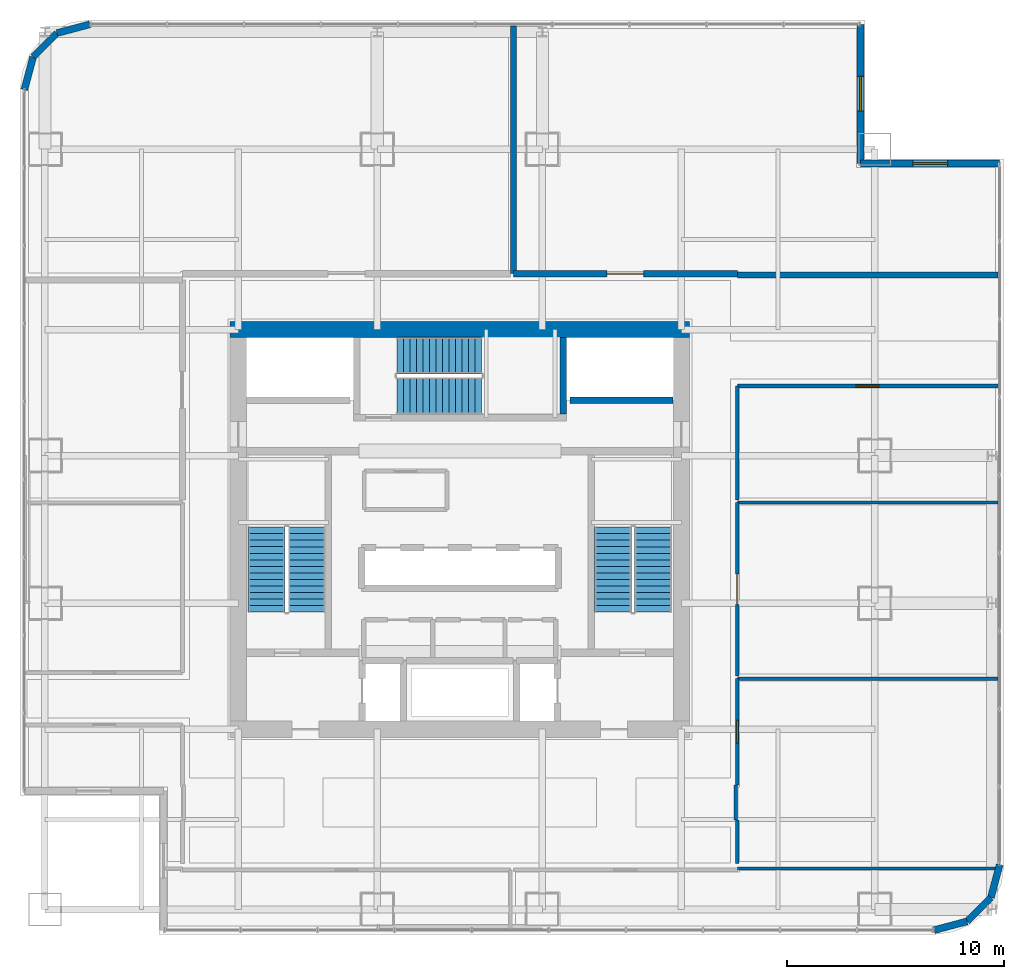
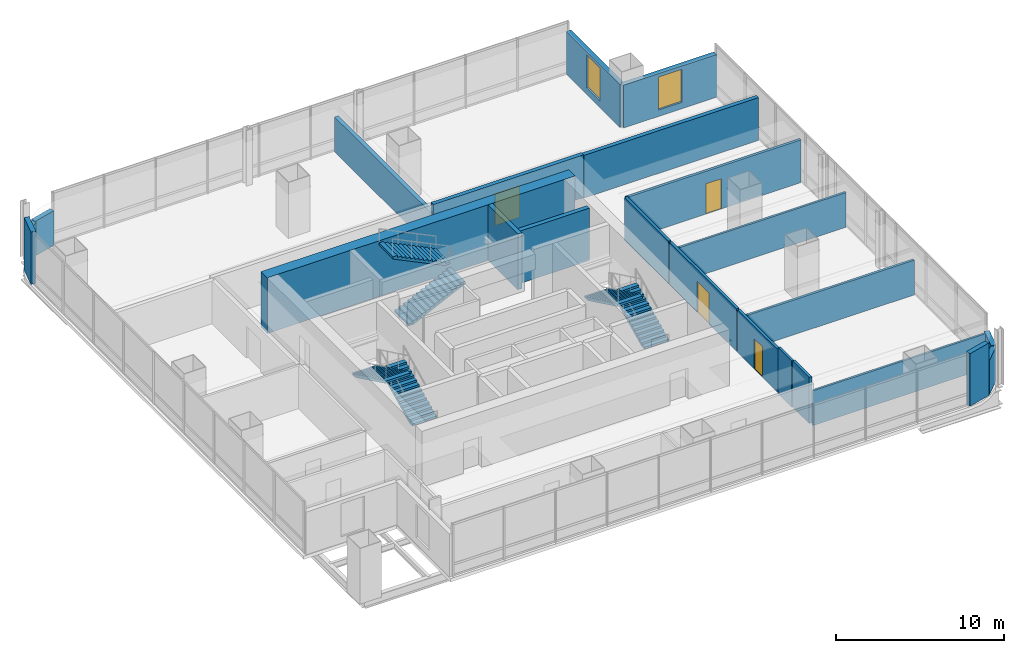
# One storey, part 29 of 35: 23 walls, 6 stair flights, 4 doors, 2 windows, 6 openings, 3 elements without a shape of their own.
"""IFC4 building model written with IfcOpenShell, lengths in metres."""

from ifc_helpers import new_model, si_unit, direction, frame, frame_2d, origin, place, context, subcontext, project, spatial, polyline, rectangle, outline, extrude, material, layer, layer_set, type_object, element, fill, aggregate, save


model = new_model("IFC4")

# Units and contexts
model_context = context("Model", 3, precision=1e-05, world=origin(), true_north=direction((0.0, 1.0)))
body_context = subcontext(model_context, "Body", "Model", "MODEL_VIEW")
ifc_project = project(units=[si_unit("LENGTHUNIT", "METRE"), si_unit("AREAUNIT", "SQUARE_METRE"), si_unit("VOLUMEUNIT", "CUBIC_METRE"), si_unit("PLANEANGLEUNIT", "RADIAN"), si_unit("MASSUNIT", "GRAM", prefix="KILO")], contexts=[model_context])

# Site, building, storey
site_placement = place(None, origin())
site = spatial("IfcSite", under=ifc_project, at=site_placement, CompositionType="ELEMENT")
building_placement = place(site_placement, origin())
building = spatial("IfcBuilding", under=site, at=building_placement, Name="Punatoya Terracotta Tower", CompositionType="ELEMENT")
storey_placement = place(building_placement, frame((0.0, 0.0, 113.25)))
storey = spatial("IfcBuildingStorey", under=building, at=storey_placement, Name="L26", CompositionType="ELEMENT", Elevation=113.25)

# Wall
ifc_material_1 = material(Name="Concrete C40/50", Category="concrete")
ifc_layer_1 = layer(ifc_material_1, 0.280029296875)
ifc_layer_set_1 = layer_set([ifc_layer_1], Name="Concrete C40/50")
wall_type_1 = type_object("IfcWallType", Name="WL-AUD-280", PredefinedType="SOLIDWALL", material=ifc_layer_set_1)
wall_1_placement = place(storey_placement, frame((24.77001953125, 11.7099609375, 0.0), z_axis=(0.0, 0.0, 1.0), x_axis=(-1.0, 0.0, 0.0)))
element("IfcWall", 1, at=wall_1_placement, inside=storey, type_object=wall_type_1, Name="L26 Terrace Refreshment Lounge Partition 34", PredefinedType="SOLIDWALL", context=body_context, shape_type="SweptSolid", body=[
    extrude(rectangle(XDim=12.0, YDim=0.280029296875, at=frame_2d((6.0, 0.0))), origin(), (0.0, 0.0, 1.0), 3.10400390625),
])

# Wall, opening, door
wall_2_placement = place(storey_placement, frame((12.77001953125, 11.77001953125, 0.0), z_axis=(0.0, 0.0, 1.0), x_axis=(-1.0, 0.0, 0.0)))
wall_2 = element("IfcWall", 2, at=wall_2_placement, inside=storey, type_object=wall_type_1, Name="L26 Terrace Refreshment Lounge Partition 35", PredefinedType="SOLIDWALL", context=body_context, shape_type="SweptSolid", body=[
    extrude(rectangle(XDim=10.31005859375, YDim=0.280029296875, at=frame_2d((5.155029296875, 0.0))), origin(), (0.0, 0.0, 1.0), 3.10400390625),
])
opening_1_placement = place(wall_2_placement, frame((4.304931640625, 0.0, 0.0)))
opening_1 = element("IfcOpeningElement", 3, at=opening_1_placement, cuts=wall_2, Name="Opening FD-D1", PredefinedType="OPENING", context=body_context, shape_type="SweptSolid", body=[
    extrude(rectangle(XDim=1.699951171875, YDim=2.300048828125, at=frame_2d((0.85009765625, 1.14990234375))), frame((0.0, 0.14990234375, 0.0), z_axis=(0.0, -1.0, 0.0), x_axis=(1.0, 0.0, 0.0)), (0.0, 0.0, 1.0), 0.300048828125),
])
ifc_material_2 = material(Name="Timber Teak Veneer Fire Leaf", Category="wood")
door_type_1 = type_object("IfcDoorType", Name="DR-DIN-1700", OperationType="NOTDEFINED", PredefinedType="DOOR", material=ifc_material_2)
door_1_placement = place(opening_1_placement, origin())
door_1 = element("IfcDoor", 4, at=door_1_placement, inside=storey, type_object=door_type_1, Name="L26 Terrace Refreshment Lounge Fire Door", OperationType="DOUBLE_DOOR_SINGLE_SWING", OverallHeight=2.300048828125, OverallWidth=1.699951171875, PredefinedType="DOOR", context=body_context, shape_type="SweptSolid", body=[
    extrude(rectangle(XDim=1.699951171875, YDim=2.300048828125, at=frame_2d((0.85009765625, 1.14990234375))), frame((0.0, 0.02490234375, 0.0), z_axis=(0.0, -1.0, 0.0), x_axis=(1.0, 0.0, 0.0)), (0.0, 0.0, 1.0), 0.050048828125),
])
fill(opening_1, door_1)

# Walls
wall_3_placement = place(storey_placement, frame((2.4599609375, 11.77001953125, 0.0), z_axis=(0.0, 0.0, 1.0), x_axis=(0.0, 1.0, 0.0)))
element("IfcWall", 5, at=wall_3_placement, inside=storey, type_object=wall_type_1, Name="L26 Terrace Refreshment Lounge Partition 36", PredefinedType="SOLIDWALL", context=body_context, shape_type="SweptSolid", body=[
    extrude(rectangle(XDim=11.39990234375, YDim=0.280029296875, at=frame_2d((5.699951171875, 0.0))), origin(), (0.0, 0.0, 1.0), 2.52392578125),
])
ifc_material_3 = material(Name="Concrete C60/75", Category="concrete")
ifc_layer_2 = layer(ifc_material_3, 0.75)
ifc_layer_set_2 = layer_set([ifc_layer_2], Name="Concrete C60/75")
wall_type_2 = type_object("IfcWallType", Name="WL-COR-750", PredefinedType="SHEAR", material=ifc_layer_set_2)
wall_4_placement = place(storey_placement, frame((-10.574951171875, 9.199951171875, 0.0), z_axis=(0.0, 0.0, 1.0), x_axis=(1.0, 0.0, 0.0)))
element("IfcWall", 6, at=wall_4_placement, inside=storey, type_object=wall_type_2, Name="L26 Core Shear Wall N", PredefinedType="SHEAR", context=body_context, shape_type="SweptSolid", body=[
    extrude(rectangle(XDim=21.14990234375, YDim=0.75, at=frame_2d((10.574951171875, 0.0))), origin(), (0.0, 0.0, 1.0), 4.050048828125),
])

# Wall, opening, door
ifc_material_4 = material(Name="Gypsum Fireboard + Steel Stud", Category="steel")
ifc_layer_3 = layer(ifc_material_4, 0.179931640625)
ifc_layer_set_3 = layer_set([ifc_layer_3], Name="Gypsum Fireboard + Steel Stud")
wall_type_3 = type_object("IfcWallType", Name="WL-CORR-180", PredefinedType="PARTITIONING", material=ifc_layer_set_3)
wall_5_placement = place(storey_placement, frame((12.77001953125, -11.77001953125, 0.0), z_axis=(0.0, 0.0, 1.0), x_axis=(0.0, 1.0, 0.0)))
wall_5 = element("IfcWall", 7, at=wall_5_placement, inside=storey, type_object=wall_type_3, Name="L26 Catering Tea Pantry Partition 18", PredefinedType="PARTITIONING", context=body_context, shape_type="SweptSolid", body=[
    extrude(rectangle(XDim=4.89990234375, YDim=0.179931640625, at=frame_2d((2.449951171875, 0.0))), origin(), (0.0, 0.0, 1.0), 3.10400390625),
])
opening_2_placement = place(wall_5_placement, frame((1.925048828125, 0.0, 0.0)))
opening_2 = element("IfcOpeningElement", 8, at=opening_2_placement, cuts=wall_5, Name="Opening OD-01", PredefinedType="OPENING", context=body_context, shape_type="SweptSolid", body=[
    extrude(rectangle(XDim=1.050048828125, YDim=2.199951171875, at=frame_2d((0.52490234375, 1.10009765625))), frame((0.0, 0.099853515625, 0.0), z_axis=(0.0, -1.0, 0.0), x_axis=(1.0, 0.0, 0.0)), (0.0, 0.0, 1.0), 0.199951171875),
])
ifc_material_5 = material(Name="Bengal Teak Solid-Core Leaf")
door_type_2 = type_object("IfcDoorType", Name="DR-OFF-1050", OperationType="NOTDEFINED", PredefinedType="DOOR", material=ifc_material_5)
door_2_placement = place(opening_2_placement, origin())
door_2 = element("IfcDoor", 9, at=door_2_placement, inside=storey, type_object=door_type_2, Name="L26 Catering Tea Pantry Door", OperationType="SINGLE_SWING_LEFT", OverallHeight=2.199951171875, OverallWidth=1.050048828125, PredefinedType="DOOR", context=body_context, shape_type="SweptSolid", body=[
    extrude(rectangle(XDim=1.050048828125, YDim=2.199951171875, at=frame_2d((0.52490234375, 1.10009765625))), frame((0.0, 0.02490234375, 0.0), z_axis=(0.0, -1.0, 0.0), x_axis=(1.0, 0.0, 0.0)), (0.0, 0.0, 1.0), 0.050048828125),
])
fill(opening_2, door_2)

# Wall
wall_6_placement = place(storey_placement, frame((12.77001953125, -15.389892578125, 0.0), z_axis=(0.0, 0.0, 1.0), x_axis=(0.0, 1.0, 0.0)))
element("IfcWall", 10, at=wall_6_placement, inside=storey, type_object=wall_type_3, Name="L26 Catering Tea Pantry Partition 20", PredefinedType="PARTITIONING", context=body_context, shape_type="SweptSolid", body=[
    extrude(rectangle(XDim=2.010009765625, YDim=0.179931640625, at=frame_2d((1.0048828125, 0.0))), origin(), (0.0, 0.0, 1.0), 3.35400390625),
])

# Wall, opening, door
wall_7_placement = place(storey_placement, frame((12.77001953125, -6.75, 0.0), z_axis=(0.0, 0.0, 1.0), x_axis=(0.0, 1.0, 0.0)))
wall_7 = element("IfcWall", 11, at=wall_7_placement, inside=storey, type_object=wall_type_3, Name="L26 Open-Plan Private Dining Boardroom Partition 26", PredefinedType="PARTITIONING", context=body_context, shape_type="SweptSolid", body=[
    extrude(rectangle(XDim=7.97998046875, YDim=0.179931640625, at=frame_2d((3.989990234375, 0.0))), origin(), (0.0, 0.0, 1.0), 3.10400390625),
])
opening_3_placement = place(wall_7_placement, frame((3.2900390625, 0.0, 0.0)))
opening_3 = element("IfcOpeningElement", 12, at=opening_3_placement, cuts=wall_7, Name="Opening BD-01", PredefinedType="OPENING", context=body_context, shape_type="SweptSolid", body=[
    extrude(rectangle(XDim=1.39990234375, YDim=2.25, at=frame_2d((0.699951171875, 1.125))), frame((0.0, 0.099853515625, 0.0), z_axis=(0.0, -1.0, 0.0), x_axis=(1.0, 0.0, 0.0)), (0.0, 0.0, 1.0), 0.199951171875),
])
ifc_material_6 = material(Name="Bengal Teak Acoustic Leaf")
door_type_3 = type_object("IfcDoorType", Name="DR-BRD-1400", OperationType="NOTDEFINED", PredefinedType="DOOR", material=ifc_material_6)
door_3_placement = place(opening_3_placement, origin())
door_3 = element("IfcDoor", 13, at=door_3_placement, inside=storey, type_object=door_type_3, Name="L26 Open-Plan Private Dining Boardroom Door", OperationType="SINGLE_SWING_LEFT", OverallHeight=2.25, OverallWidth=1.39990234375, PredefinedType="DOOR", context=body_context, shape_type="SweptSolid", body=[
    extrude(rectangle(XDim=1.39990234375, YDim=2.25, at=frame_2d((0.699951171875, 1.125))), frame((0.0, 0.02490234375, 0.0), z_axis=(0.0, -1.0, 0.0), x_axis=(1.0, 0.0, 0.0)), (0.0, 0.0, 1.0), 0.050048828125),
])
fill(opening_3, door_3)

wall_8_placement = place(storey_placement, frame((12.77001953125, 6.60009765625, 0.0), z_axis=(0.0, 0.0, 1.0), x_axis=(1.0, 0.0, 0.0)))
wall_8 = element("IfcWall", 14, at=wall_8_placement, inside=storey, type_object=wall_type_3, Name="L26 Open-Plan Barista Espresso Pantry Partition 30", PredefinedType="PARTITIONING", context=body_context, shape_type="SweptSolid", body=[
    extrude(rectangle(XDim=12.0, YDim=0.179931640625, at=frame_2d((6.0, 0.0))), origin(), (0.0, 0.0, 1.0), 3.10400390625),
])
opening_4_placement = place(wall_8_placement, frame((5.47509765625, 0.0, 0.0)))
opening_4 = element("IfcOpeningElement", 15, at=opening_4_placement, cuts=wall_8, Name="Opening OD-01", PredefinedType="OPENING", context=body_context, shape_type="SweptSolid", body=[
    extrude(rectangle(XDim=1.050048828125, YDim=2.199951171875, at=frame_2d((0.52490234375, 1.10009765625))), frame((0.0, 0.099853515625, 0.0), z_axis=(0.0, -1.0, 0.0), x_axis=(1.0, 0.0, 0.0)), (0.0, 0.0, 1.0), 0.199951171875),
])
door_4_placement = place(opening_4_placement, origin())
door_4 = element("IfcDoor", 16, at=door_4_placement, inside=storey, type_object=door_type_2, Name="L26 Open-Plan Barista Espresso Pantry Door", OperationType="SINGLE_SWING_LEFT", OverallHeight=2.199951171875, OverallWidth=1.050048828125, PredefinedType="DOOR", context=body_context, shape_type="SweptSolid", body=[
    extrude(rectangle(XDim=1.050048828125, YDim=2.199951171875, at=frame_2d((0.52490234375, 1.10009765625))), frame((0.0, 0.02490234375, 0.0), z_axis=(0.0, -1.0, 0.0), x_axis=(1.0, 0.0, 0.0)), (0.0, 0.0, 1.0), 0.050048828125),
])
fill(opening_4, door_4)

# Walls
wall_9_placement = place(storey_placement, frame((12.77001953125, 1.35009765625, 0.0), z_axis=(0.0, 0.0, 1.0), x_axis=(0.0, 1.0, 0.0)))
element("IfcWall", 17, at=wall_9_placement, inside=storey, type_object=wall_type_3, Name="L26 Open-Plan Barista Espresso Pantry Partition 31", PredefinedType="PARTITIONING", context=body_context, shape_type="SweptSolid", body=[
    extrude(rectangle(XDim=5.25, YDim=0.179931640625, at=frame_2d((2.625, 0.0))), origin(), (0.0, 0.0, 1.0), 3.10400390625),
])
ifc_material_7 = material(Name="Precast concrete C40/50", Category="concrete")
ifc_layer_4 = layer(ifc_material_7, 0.320068359375)
ifc_layer_set_4 = layer_set([ifc_layer_4], Name="Precast concrete C40/50")
wall_type_4 = type_object("IfcWallType", Name="WL-EXT-320", PredefinedType="SOLIDWALL", material=ifc_layer_set_4)
wall_10_placement = place(storey_placement, frame((21.8369140625, -18.449951171875, 0.0), z_axis=(0.0, 0.0, 1.0), x_axis=(0.966224582397, 0.257701486942, 0.0)))
element("IfcWall", 18, at=wall_10_placement, inside=storey, type_object=wall_type_4, Name="L26 Rounded Terracotta Corner Pier 02", PredefinedType="SOLIDWALL", context=body_context, shape_type="SweptSolid", body=[
    extrude(rectangle(XDim=1.565185546875, YDim=0.320068359375, at=frame_2d((0.78271484375, 0.0))), origin(), (0.0, 0.0, 1.0), 3.81005859375),
])
wall_11_placement = place(storey_placement, frame((23.34912109375, -18.046630859375, 0.0), z_axis=(0.0, 0.0, 1.0), x_axis=(0.707106781187, 0.707106781187, 0.0)))
element("IfcWall", 19, at=wall_11_placement, inside=storey, type_object=wall_type_4, Name="L26 Rounded Terracotta Corner Pier 03", PredefinedType="SOLIDWALL", context=body_context, shape_type="SweptSolid", body=[
    extrude(rectangle(XDim=1.552001953125, YDim=0.320068359375, at=frame_2d((0.77587890625, 0.0))), origin(), (0.0, 0.0, 1.0), 2.48388671875),
])
wall_12_placement = place(storey_placement, frame((24.446533203125, -16.94921875, 0.0), z_axis=(0.0, 0.0, 1.0), x_axis=(0.257847112249, 0.966185730957, 0.0)))
element("IfcWall", 20, at=wall_12_placement, inside=storey, type_object=wall_type_4, Name="L26 Rounded Terracotta Corner Pier 04", PredefinedType="SOLIDWALL", context=body_context, shape_type="SweptSolid", body=[
    extrude(rectangle(XDim=1.565185546875, YDim=0.320068359375, at=frame_2d((0.78271484375, 0.0))), origin(), (0.0, 0.0, 1.0), 2.52392578125),
])

# Wall, opening, window
wall_13_placement = place(storey_placement, frame((24.85009765625, 16.85009765625, 0.0), z_axis=(0.0, 0.0, 1.0), x_axis=(-1.0, 0.0, 0.0)))
wall_13 = element("IfcWall", 21, at=wall_13_placement, inside=storey, type_object=wall_type_4, Name="L26 Recessed Corner-Slot Terracotta Wall 06", PredefinedType="SOLIDWALL", context=body_context, shape_type="SweptSolid", body=[
    extrude(rectangle(XDim=6.400146484375, YDim=0.320068359375, at=frame_2d((3.2001953125, 0.0))), origin(), (0.0, 0.0, 1.0), 3.10400390625),
])
opening_5_placement = place(wall_13_placement, frame((2.39990234375, 0.0, 0.464111328125)))
opening_5 = element("IfcOpeningElement", 22, at=opening_5_placement, cuts=wall_13, Name="Opening WN-03", PredefinedType="OPENING", context=body_context, shape_type="SweptSolid", body=[
    extrude(rectangle(XDim=1.60009765625, YDim=2.39990234375, at=frame_2d((0.800048828125, 1.199951171875))), frame((0.0, 0.169921875, 0.0), z_axis=(0.0, -1.0, 0.0), x_axis=(1.0, 0.0, 0.0)), (0.0, 0.0, 1.0), 0.340087890625),
])
ifc_material_8 = material(Name="Aluminium 6063-T6 + Double Low-E Glass", Category="aluminium")
window_type = type_object("IfcWindowType", Name="WIN-OFF-1600", PartitioningType="SINGLE_PANEL", PredefinedType="WINDOW", material=ifc_material_8)
window_1_placement = place(opening_5_placement, origin())
window_1 = element("IfcWindow", 23, at=window_1_placement, inside=storey, type_object=window_type, Name="L26 Corner-Slot Punched Window 06", OverallHeight=2.39990234375, OverallWidth=1.60009765625, PartitioningType="SINGLE_PANEL", PredefinedType="WINDOW", context=body_context, shape_type="SweptSolid", body=[
    extrude(rectangle(XDim=1.60009765625, YDim=2.39990234375, at=frame_2d((0.800048828125, 1.199951171875))), frame((0.0, 0.030029296875, 0.0), z_axis=(0.0, -1.0, 0.0), x_axis=(1.0, 0.0, 0.0)), (0.0, 0.0, 1.0), 0.06005859375),
])
fill(opening_5, window_1)

wall_14_placement = place(storey_placement, frame((18.449951171875, 16.85009765625, 0.0), z_axis=(0.0, 0.0, 1.0), x_axis=(0.0, 1.0, 0.0)))
wall_14 = element("IfcWall", 24, at=wall_14_placement, inside=storey, type_object=wall_type_4, Name="L26 Recessed Corner-Slot Terracotta Wall 07", PredefinedType="SOLIDWALL", context=body_context, shape_type="SweptSolid", body=[
    extrude(rectangle(XDim=6.39990234375, YDim=0.320068359375, at=frame_2d((3.199951171875, 0.0))), origin(), (0.0, 0.0, 1.0), 3.10400390625),
])
opening_6_placement = place(wall_14_placement, frame((2.39990234375, 0.0, 0.464111328125)))
opening_6 = element("IfcOpeningElement", 25, at=opening_6_placement, cuts=wall_14, Name="Opening WN-03", PredefinedType="OPENING", context=body_context, shape_type="SweptSolid", body=[
    extrude(rectangle(XDim=1.60009765625, YDim=2.39990234375, at=frame_2d((0.800048828125, 1.199951171875))), frame((0.0, 0.169921875, 0.0), z_axis=(0.0, -1.0, 0.0), x_axis=(1.0, 0.0, 0.0)), (0.0, 0.0, 1.0), 0.340087890625),
])
window_2_placement = place(opening_6_placement, origin())
window_2 = element("IfcWindow", 26, at=window_2_placement, inside=storey, type_object=window_type, Name="L26 Corner-Slot Punched Window 07", OverallHeight=2.39990234375, OverallWidth=1.60009765625, PartitioningType="SINGLE_PANEL", PredefinedType="WINDOW", context=body_context, shape_type="SweptSolid", body=[
    extrude(rectangle(XDim=1.60009765625, YDim=2.39990234375, at=frame_2d((0.800048828125, 1.199951171875))), frame((0.0, 0.030029296875, 0.0), z_axis=(0.0, -1.0, 0.0), x_axis=(1.0, 0.0, 0.0)), (0.0, 0.0, 1.0), 0.06005859375),
])
fill(opening_6, window_2)

# Walls
wall_15_placement = place(storey_placement, frame((-17.036865234375, 23.25, 0.0), z_axis=(0.0, 0.0, 1.0), x_axis=(-0.966224582397, -0.257701486942, 0.0)))
element("IfcWall", 27, at=wall_15_placement, inside=storey, type_object=wall_type_4, Name="L26 Rounded Terracotta Corner Pier 09", PredefinedType="SOLIDWALL", context=body_context, shape_type="SweptSolid", body=[
    extrude(rectangle(XDim=1.565185546875, YDim=0.320068359375, at=frame_2d((0.78271484375, 0.0))), origin(), (0.0, 0.0, 1.0), 2.52392578125),
])
wall_16_placement = place(storey_placement, frame((-18.549072265625, 22.8466796875, 0.0), z_axis=(0.0, 0.0, 1.0), x_axis=(-0.707028130747, -0.707185422879, 0.0)))
element("IfcWall", 28, at=wall_16_placement, inside=storey, type_object=wall_type_4, Name="L26 Rounded Terracotta Corner Pier 10", PredefinedType="SOLIDWALL", context=body_context, shape_type="SweptSolid", body=[
    extrude(rectangle(XDim=1.55224609375, YDim=0.320068359375, at=frame_2d((0.776123046875, 0.0))), origin(), (0.0, 0.0, 1.0), 2.48388671875),
])
wall_17_placement = place(storey_placement, frame((-19.646484375, 21.7490234375, 0.0), z_axis=(0.0, 0.0, 1.0), x_axis=(-0.257847112249, -0.966185730957, 0.0)))
element("IfcWall", 29, at=wall_17_placement, inside=storey, type_object=wall_type_4, Name="L26 Rounded Terracotta Corner Pier 11", PredefinedType="SOLIDWALL", context=body_context, shape_type="SweptSolid", body=[
    extrude(rectangle(XDim=1.565185546875, YDim=0.320068359375, at=frame_2d((0.78271484375, 0.0))), origin(), (0.0, 0.0, 1.0), 3.81005859375),
])
ifc_material_9 = material(Name="Acoustic Gypsum + Steel Stud", Category="steel")
ifc_layer_5 = layer(ifc_material_9, 0.139892578125)
ifc_layer_set_5 = layer_set([ifc_layer_5], Name="Acoustic Gypsum + Steel Stud")
wall_type_5 = type_object("IfcWallType", Name="WL-OFF-140", PredefinedType="PARTITIONING", material=ifc_layer_set_5)
wall_18_placement = place(storey_placement, frame((12.77001953125, -15.610107421875, 0.0), z_axis=(0.0, 0.0, 1.0), x_axis=(1.0, 0.0, 0.0)))
element("IfcWall", 30, at=wall_18_placement, inside=storey, type_object=wall_type_5, Name="L26 Open-Plan Executive Bistro Lounge Partition 15", PredefinedType="PARTITIONING", context=body_context, shape_type="SweptSolid", body=[
    extrude(rectangle(XDim=11.9765625, YDim=0.139892578125, at=frame_2d((5.98828125, 0.0))), origin(), (0.0, 0.0, 1.0), 2.52392578125),
])
wall_19_placement = place(storey_placement, frame((12.77001953125, 1.22998046875, 0.0), z_axis=(0.0, 0.0, 1.0), x_axis=(1.0, 0.0, 0.0)))
element("IfcWall", 31, at=wall_19_placement, inside=storey, type_object=wall_type_5, Name="L26 Open-Plan Private Dining Boardroom Partition 25", PredefinedType="PARTITIONING", context=body_context, shape_type="SweptSolid", body=[
    extrude(rectangle(XDim=12.0, YDim=0.139892578125, at=frame_2d((6.0, 0.0))), origin(), (0.0, 0.0, 1.0), 2.52392578125),
])
ifc_layer_6 = layer(ifc_material_1, 0.300048828125)
ifc_layer_set_6 = layer_set([ifc_layer_6], Name="Concrete C40/50")
wall_type_6 = type_object("IfcWallType", Name="WL-SHF-300", PredefinedType="SOLIDWALL", material=ifc_layer_set_6)
wall_20_placement = place(storey_placement, frame((4.75, 8.824951171875, 0.0), z_axis=(0.0, 0.0, 1.0), x_axis=(0.0, -1.0, 0.0)))
element("IfcWall", 32, at=wall_20_placement, inside=storey, type_object=wall_type_6, Name="L26 Structural Stair Shaft Wall SW-ST3-E", PredefinedType="SOLIDWALL", context=body_context, shape_type="SweptSolid", body=[
    extrude(rectangle(XDim=3.52490234375, YDim=0.300048828125, at=frame_2d((1.762451171875, 0.0))), origin(), (0.0, 0.0, 1.0), 4.050048828125),
])
wall_21_placement = place(storey_placement, frame((5.06005859375, 5.949951171875, 0.0), z_axis=(0.0, 0.0, 1.0), x_axis=(1.0, 0.0, 0.0)))
element("IfcWall", 33, at=wall_21_placement, inside=storey, type_object=wall_type_6, Name="L26 Shuttle SL-2 South Hoistway Wall", PredefinedType="SOLIDWALL", context=body_context, shape_type="SweptSolid", body=[
    extrude(rectangle(XDim=4.760009765625, YDim=0.300048828125, at=frame_2d((2.3798828125, 0.0))), origin(), (0.0, 0.0, 1.0), 3.81005859375),
])
ifc_material_10 = material(Name="Masonry Blockwork + Ceramic Tile", Category="masonry")
ifc_layer_7 = layer(ifc_material_10, 0.159912109375)
ifc_layer_set_7 = layer_set([ifc_layer_7], Name="Masonry Blockwork + Ceramic Tile")
wall_type_7 = type_object("IfcWallType", Name="WL-WET-160", PredefinedType="PARTITIONING", material=ifc_layer_set_7)
wall_22_placement = place(storey_placement, frame((12.7099609375, -13.3798828125, 0.0), z_axis=(0.0, 0.0, 1.0), x_axis=(0.0, 1.0, 0.0)))
element("IfcWall", 34, at=wall_22_placement, inside=storey, type_object=wall_type_7, Name="L26 Catering Tea Pantry Partition 17", PredefinedType="PARTITIONING", context=body_context, shape_type="SweptSolid", body=[
    extrude(rectangle(XDim=1.60986328125, YDim=0.159912109375, at=frame_2d((0.804931640625, 0.0))), origin(), (0.0, 0.0, 1.0), 3.35400390625),
])
wall_23_placement = place(storey_placement, frame((12.77001953125, -6.8701171875, 0.0), z_axis=(0.0, 0.0, 1.0), x_axis=(1.0, 0.0, 0.0)))
element("IfcWall", 35, at=wall_23_placement, inside=storey, type_object=wall_type_7, Name="L26 Catering Tea Pantry Partition 19", PredefinedType="PARTITIONING", context=body_context, shape_type="SweptSolid", body=[
    extrude(rectangle(XDim=12.0, YDim=0.159912109375, at=frame_2d((6.0, 0.0))), origin(), (0.0, 0.0, 1.0), 2.52392578125),
])

# Stair, stair flights
stair_type_1 = type_object("IfcStairType", Name="STR-CORE-1550", PredefinedType="HALF_TURN_STAIR", material=ifc_material_1)
stair_1_placement = place(storey_placement, origin())
stair_1 = element("IfcStair", 36, at=stair_1_placement, inside=storey, type_object=stair_type_1, Name="L26 Protected Core Exit Stair ST-1", PredefinedType="HALF_TURN_STAIR")
stair_flight_type_1 = type_object("IfcStairFlightType", Name="SFL-CORE-1550", PredefinedType="STRAIGHT", material=ifc_material_1)
stair_flight_1_placement = place(storey_placement, frame((-7.050048828125, -3.800048828125, 0.0), z_axis=(0.0, 0.0, 1.0), x_axis=(0.0, 1.0, 0.0)))
stair_flight_1 = element("IfcStairFlight", 37, at=stair_flight_1_placement, type_object=stair_flight_type_1, Name="ST-1 flight 1", NumberOfRisers=14, NumberOfTreads=13, PredefinedType="STRAIGHT", RiserHeight=0.144642857, TreadLength=0.3, context=body_context, shape_type="SweptSolid", body=[
    extrude(outline(polyline([(0.0, 0.0), (0.0, 0.14453125), (0.300048828125, 0.14453125), (0.300048828125, 0.289306640625), (0.60009765625, 0.289306640625), (0.60009765625, 0.433837890625), (0.89990234375, 0.433837890625), (0.89990234375, 0.57861328125), (1.199951171875, 0.57861328125), (1.199951171875, 0.72314453125), (1.5, 0.72314453125), (1.5, 0.867919921875), (1.800048828125, 0.867919921875), (1.800048828125, 1.012451171875), (2.10009765625, 1.012451171875), (2.10009765625, 1.1572265625), (2.39990234375, 1.1572265625), (2.39990234375, 1.3017578125), (2.699951171875, 1.3017578125), (2.699951171875, 1.446533203125), (3.0, 1.446533203125), (3.0, 1.591064453125), (3.300048828125, 1.591064453125), (3.300048828125, 1.735595703125), (3.60009765625, 1.735595703125), (3.60009765625, 1.88037109375), (3.89990234375, 1.88037109375), (3.89990234375, 2.02490234375), (3.89990234375, 1.7138671875), (0.34521484375, 0.0), (0.0, 0.0)])), frame((0.0, 0.85009765625, 0.0), z_axis=(0.0, -1.0, 0.0), x_axis=(1.0, 0.0, 0.0)), (0.0, 0.0, 1.0), 1.699951171875),
])
stair_flight_2_placement = place(storey_placement, frame((-8.89990234375, 0.10009765625, 2.02490234375), z_axis=(0.0, 0.0, 1.0), x_axis=(0.0, -1.0, 0.0)))
stair_flight_2 = element("IfcStairFlight", 38, at=stair_flight_2_placement, type_object=stair_flight_type_1, Name="ST-1 flight 2", NumberOfRisers=14, NumberOfTreads=13, PredefinedType="STRAIGHT", RiserHeight=0.144642857, TreadLength=0.3, context=body_context, shape_type="SweptSolid", body=[
    extrude(outline(polyline([(0.0, 0.0), (0.0, 0.14453125), (0.300048828125, 0.14453125), (0.300048828125, 0.289306640625), (0.60009765625, 0.289306640625), (0.60009765625, 0.433837890625), (0.89990234375, 0.433837890625), (0.89990234375, 0.57861328125), (1.199951171875, 0.57861328125), (1.199951171875, 0.72314453125), (1.5, 0.72314453125), (1.5, 0.867919921875), (1.800048828125, 0.867919921875), (1.800048828125, 1.012451171875), (2.10009765625, 1.012451171875), (2.10009765625, 1.1572265625), (2.39990234375, 1.1572265625), (2.39990234375, 1.3017578125), (2.699951171875, 1.3017578125), (2.699951171875, 1.446533203125), (3.0, 1.446533203125), (3.0, 1.591064453125), (3.300048828125, 1.591064453125), (3.300048828125, 1.735595703125), (3.60009765625, 1.735595703125), (3.60009765625, 1.88037109375), (3.89990234375, 1.88037109375), (3.89990234375, 2.02490234375), (3.89990234375, 1.7138671875), (0.34521484375, 0.0), (0.0, 0.0)])), frame((0.0, 0.85009765625, 0.0), z_axis=(0.0, -1.0, 0.0), x_axis=(1.0, 0.0, 0.0)), (0.0, 0.0, 1.0), 1.699951171875),
])
aggregate(stair_1, [stair_flight_1, stair_flight_2])

stair_type_2 = type_object("IfcStairType", Name="STR-LOB-1650", PredefinedType="HALF_TURN_STAIR", material=ifc_material_1)
stair_2_placement = place(storey_placement, origin())
stair_2 = element("IfcStair", 39, at=stair_2_placement, inside=storey, type_object=stair_type_2, Name="L26 Protected Core Exit Stair ST-2", PredefinedType="HALF_TURN_STAIR")
stair_flight_type_2 = type_object("IfcStairFlightType", Name="SFL-LOB-1650", PredefinedType="STRAIGHT", material=ifc_material_1)
stair_flight_3_placement = place(storey_placement, frame((8.89990234375, -3.800048828125, 0.0), z_axis=(0.0, 0.0, 1.0), x_axis=(0.0, 1.0, 0.0)))
stair_flight_3 = element("IfcStairFlight", 40, at=stair_flight_3_placement, type_object=stair_flight_type_2, Name="ST-2 flight 1", NumberOfRisers=14, NumberOfTreads=13, PredefinedType="STRAIGHT", RiserHeight=0.144642857, TreadLength=0.3, context=body_context, shape_type="SweptSolid", body=[
    extrude(outline(polyline([(0.0, 0.0), (0.0, 0.14453125), (0.300048828125, 0.14453125), (0.300048828125, 0.289306640625), (0.60009765625, 0.289306640625), (0.60009765625, 0.433837890625), (0.89990234375, 0.433837890625), (0.89990234375, 0.57861328125), (1.199951171875, 0.57861328125), (1.199951171875, 0.72314453125), (1.5, 0.72314453125), (1.5, 0.867919921875), (1.800048828125, 0.867919921875), (1.800048828125, 1.012451171875), (2.10009765625, 1.012451171875), (2.10009765625, 1.1572265625), (2.39990234375, 1.1572265625), (2.39990234375, 1.3017578125), (2.699951171875, 1.3017578125), (2.699951171875, 1.446533203125), (3.0, 1.446533203125), (3.0, 1.591064453125), (3.300048828125, 1.591064453125), (3.300048828125, 1.735595703125), (3.60009765625, 1.735595703125), (3.60009765625, 1.88037109375), (3.89990234375, 1.88037109375), (3.89990234375, 2.02490234375), (3.89990234375, 1.7138671875), (0.34521484375, 0.0), (0.0, 0.0)])), frame((0.0, 0.85009765625, 0.0), z_axis=(0.0, -1.0, 0.0), x_axis=(1.0, 0.0, 0.0)), (0.0, 0.0, 1.0), 1.699951171875),
])
stair_flight_4_placement = place(storey_placement, frame((7.050048828125, 0.10009765625, 2.02490234375), z_axis=(0.0, 0.0, 1.0), x_axis=(0.0, -1.0, 0.0)))
stair_flight_4 = element("IfcStairFlight", 41, at=stair_flight_4_placement, type_object=stair_flight_type_2, Name="ST-2 flight 2", NumberOfRisers=14, NumberOfTreads=13, PredefinedType="STRAIGHT", RiserHeight=0.144642857, TreadLength=0.3, context=body_context, shape_type="SweptSolid", body=[
    extrude(outline(polyline([(0.0, 0.0), (0.0, 0.14453125), (0.300048828125, 0.14453125), (0.300048828125, 0.289306640625), (0.60009765625, 0.289306640625), (0.60009765625, 0.433837890625), (0.89990234375, 0.433837890625), (0.89990234375, 0.57861328125), (1.199951171875, 0.57861328125), (1.199951171875, 0.72314453125), (1.5, 0.72314453125), (1.5, 0.867919921875), (1.800048828125, 0.867919921875), (1.800048828125, 1.012451171875), (2.10009765625, 1.012451171875), (2.10009765625, 1.1572265625), (2.39990234375, 1.1572265625), (2.39990234375, 1.3017578125), (2.699951171875, 1.3017578125), (2.699951171875, 1.446533203125), (3.0, 1.446533203125), (3.0, 1.591064453125), (3.300048828125, 1.591064453125), (3.300048828125, 1.735595703125), (3.60009765625, 1.735595703125), (3.60009765625, 1.88037109375), (3.89990234375, 1.88037109375), (3.89990234375, 2.02490234375), (3.89990234375, 1.7138671875), (0.34521484375, 0.0), (0.0, 0.0)])), frame((0.0, 0.85009765625, 0.0), z_axis=(0.0, -1.0, 0.0), x_axis=(1.0, 0.0, 0.0)), (0.0, 0.0, 1.0), 1.699951171875),
])
aggregate(stair_2, [stair_flight_3, stair_flight_4])

stair_type_3 = type_object("IfcStairType", Name="STR-TER-1450", PredefinedType="HALF_TURN_STAIR", material=ifc_material_1)
stair_3_placement = place(storey_placement, origin())
stair_3 = element("IfcStair", 42, at=stair_3_placement, inside=storey, type_object=stair_type_3, Name="L26 Protected Core Exit Stair ST-3", PredefinedType="HALF_TURN_STAIR")
stair_flight_type_3 = type_object("IfcStairFlightType", Name="SFL-TER-1450", PredefinedType="STRAIGHT", material=ifc_material_1)
stair_flight_5_placement = place(storey_placement, frame((-2.89990234375, 6.14990234375, 0.0), z_axis=(0.0, 0.0, 1.0), x_axis=(1.0, 0.0, 0.0)))
stair_flight_5 = element("IfcStairFlight", 43, at=stair_flight_5_placement, type_object=stair_flight_type_3, Name="ST-3 flight 1", NumberOfRisers=14, NumberOfTreads=13, PredefinedType="STRAIGHT", RiserHeight=0.144642857, TreadLength=0.3, context=body_context, shape_type="SweptSolid", body=[
    extrude(outline(polyline([(0.0, 0.0), (0.0, 0.14453125), (0.300048828125, 0.14453125), (0.300048828125, 0.289306640625), (0.60009765625, 0.289306640625), (0.60009765625, 0.433837890625), (0.89990234375, 0.433837890625), (0.89990234375, 0.57861328125), (1.199951171875, 0.57861328125), (1.199951171875, 0.72314453125), (1.5, 0.72314453125), (1.5, 0.867919921875), (1.800048828125, 0.867919921875), (1.800048828125, 1.012451171875), (2.10009765625, 1.012451171875), (2.10009765625, 1.1572265625), (2.39990234375, 1.1572265625), (2.39990234375, 1.3017578125), (2.699951171875, 1.3017578125), (2.699951171875, 1.446533203125), (3.0, 1.446533203125), (3.0, 1.591064453125), (3.300048828125, 1.591064453125), (3.300048828125, 1.735595703125), (3.60009765625, 1.735595703125), (3.60009765625, 1.88037109375), (3.89990234375, 1.88037109375), (3.89990234375, 2.02490234375), (3.89990234375, 1.7138671875), (0.34521484375, 0.0), (0.0, 0.0)])), frame((0.0, 0.85009765625, 0.0), z_axis=(0.0, -1.0, 0.0), x_axis=(1.0, 0.0, 0.0)), (0.0, 0.0, 1.0), 1.699951171875),
])
stair_flight_6_placement = place(storey_placement, frame((1.0, 8.0, 2.02490234375), z_axis=(0.0, 0.0, 1.0), x_axis=(-1.0, 0.0, 0.0)))
stair_flight_6 = element("IfcStairFlight", 44, at=stair_flight_6_placement, type_object=stair_flight_type_3, Name="ST-3 flight 2", NumberOfRisers=14, NumberOfTreads=13, PredefinedType="STRAIGHT", RiserHeight=0.144642857, TreadLength=0.3, context=body_context, shape_type="SweptSolid", body=[
    extrude(outline(polyline([(0.0, 0.0), (0.0, 0.14453125), (0.300048828125, 0.14453125), (0.300048828125, 0.289306640625), (0.60009765625, 0.289306640625), (0.60009765625, 0.433837890625), (0.89990234375, 0.433837890625), (0.89990234375, 0.57861328125), (1.199951171875, 0.57861328125), (1.199951171875, 0.72314453125), (1.5, 0.72314453125), (1.5, 0.867919921875), (1.800048828125, 0.867919921875), (1.800048828125, 1.012451171875), (2.10009765625, 1.012451171875), (2.10009765625, 1.1572265625), (2.39990234375, 1.1572265625), (2.39990234375, 1.3017578125), (2.699951171875, 1.3017578125), (2.699951171875, 1.446533203125), (3.0, 1.446533203125), (3.0, 1.591064453125), (3.300048828125, 1.591064453125), (3.300048828125, 1.735595703125), (3.60009765625, 1.735595703125), (3.60009765625, 1.88037109375), (3.89990234375, 1.88037109375), (3.89990234375, 2.02490234375), (3.89990234375, 1.7138671875), (0.34521484375, 0.0), (0.0, 0.0)])), frame((0.0, 0.85009765625, 0.0), z_axis=(0.0, -1.0, 0.0), x_axis=(1.0, 0.0, 0.0)), (0.0, 0.0, 1.0), 1.699951171875),
])
aggregate(stair_3, [stair_flight_5, stair_flight_6])

save(model, "model.ifc")
